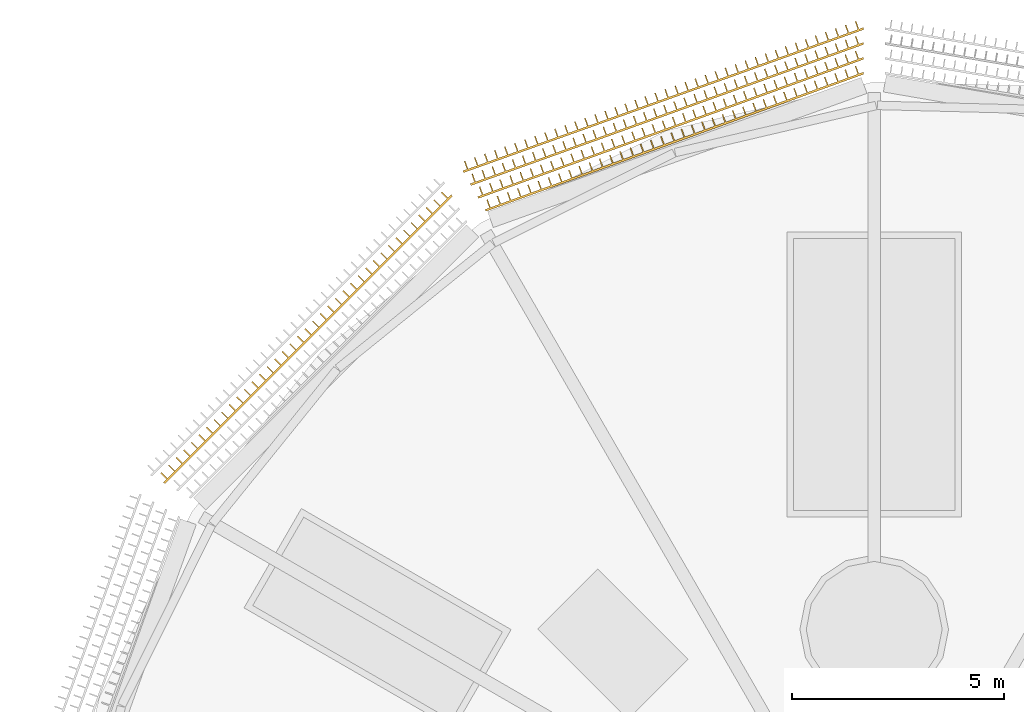
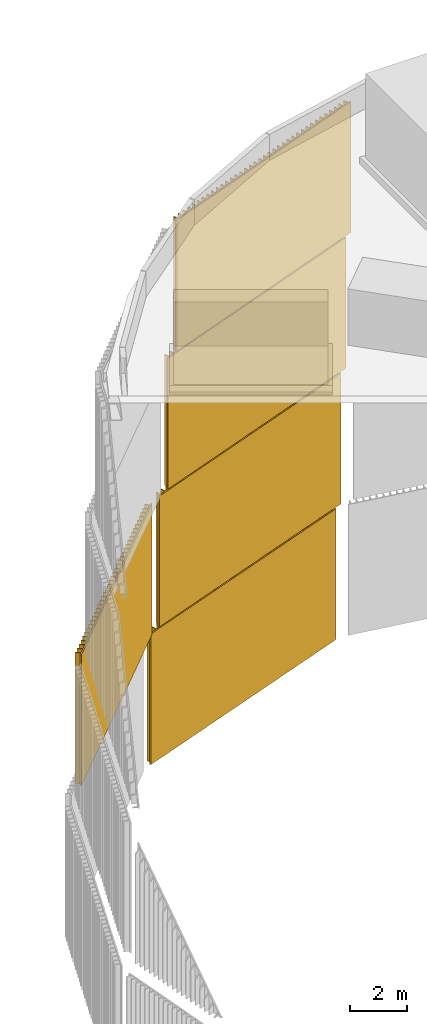
# One storey, part 20 of 24: 5 coverings.
"""IFC4 building model written with IfcOpenShell, lengths in metres."""

from ifc_helpers import new_model, si_unit, direction, frame, origin, place, context, subcontext, project, spatial, polyline, outline, extrude, material, type_object, element, save


model = new_model("IFC4")

# Units and contexts
model_context = context("Model", 3, precision=1e-05, world=origin(), true_north=direction((0.0, 1.0)))
body_context = subcontext(model_context, "Body", "Model", "MODEL_VIEW")
ifc_project = project(units=[si_unit("LENGTHUNIT", "METRE"), si_unit("AREAUNIT", "SQUARE_METRE"), si_unit("VOLUMEUNIT", "CUBIC_METRE"), si_unit("PLANEANGLEUNIT", "RADIAN"), si_unit("MASSUNIT", "GRAM", prefix="KILO")], contexts=[model_context])

# Site, building, storey
site_placement = place(None, origin())
site = spatial("IfcSite", under=ifc_project, at=site_placement, CompositionType="ELEMENT")
building_placement = place(site_placement, origin())
building = spatial("IfcBuilding", under=site, at=building_placement, Name="Rimbun Link Towers", CompositionType="ELEMENT")
storey_placement = place(building_placement, frame((0.0, 0.0, 294.89990234375)))
storey = spatial("IfcBuildingStorey", under=building, at=storey_placement, Name="Roof cap", CompositionType="ELEMENT", Elevation=294.89990234375)

# Coverings
ifc_material = material(Name="Terracotta", Category="masonry")
covering_type = type_object("IfcCoveringType", Name="TERRACOTTA CLADDING screen fins", PredefinedType="CLADDING", material=ifc_material)
covering_1_placement = place(storey_placement, frame((0.0, 0.0, -23.087890625)))
element("IfcCovering", 1, at=covering_1_placement, inside=storey, type_object=covering_type, Name="TERRACOTTA CLADDING screen", PredefinedType="CLADDING", context=body_context, shape_type="SweptSolid", body=[
    extrude(outline(polyline([(31.49609375, 20.668701171875), (31.39208984375, 20.631591796875), (31.32470703125, 20.81982421875), (31.296630859375, 20.809814453125), (31.364013671875, 20.621337890625), (31.15625, 20.547119140625), (31.0888671875, 20.7353515625), (31.060546875, 20.725341796875), (31.1279296875, 20.537109375), (30.92041015625, 20.462646484375), (30.85302734375, 20.65087890625), (30.82470703125, 20.640869140625), (30.89208984375, 20.45263671875), (30.684326171875, 20.37841796875), (30.616943359375, 20.566650390625), (30.5888671875, 20.556396484375), (30.656005859375, 20.3681640625), (30.448486328125, 20.2939453125), (30.381103515625, 20.482177734375), (30.352783203125, 20.47216796875), (30.420166015625, 20.28369140625), (30.21240234375, 20.20947265625), (30.145263671875, 20.397705078125), (30.116943359375, 20.3876953125), (30.184326171875, 20.199462890625), (29.9765625, 20.125), (29.9091796875, 20.3134765625), (29.881103515625, 20.303466796875), (29.948486328125, 20.114990234375), (29.74072265625, 20.040771484375), (29.67333984375, 20.22900390625), (29.64501953125, 20.218994140625), (29.71240234375, 20.03076171875), (29.5048828125, 19.956298828125), (29.4375, 20.144775390625), (29.4091796875, 20.134521484375), (29.4765625, 19.9462890625), (29.268798828125, 19.8720703125), (29.201416015625, 20.060302734375), (29.173095703125, 20.05029296875), (29.240478515625, 19.86181640625), (29.032958984375, 19.78759765625), (28.965576171875, 19.975830078125), (28.937255859375, 19.9658203125), (29.004638671875, 19.777587890625), (28.797119140625, 19.703125), (28.7294921875, 19.8916015625), (28.701416015625, 19.88134765625), (28.768798828125, 19.693115234375), (28.56103515625, 19.618896484375), (28.49365234375, 19.80712890625), (28.465576171875, 19.797119140625), (28.53271484375, 19.608642578125), (28.3251953125, 19.534423828125), (28.2578125, 19.722900390625), (28.2294921875, 19.712646484375), (28.296875, 19.5244140625), (28.089111328125, 19.4501953125), (28.02197265625, 19.638427734375), (27.99365234375, 19.62841796875), (28.06103515625, 19.43994140625), (27.853271484375, 19.36572265625), (27.785888671875, 19.553955078125), (27.7578125, 19.5439453125), (27.8251953125, 19.355712890625), (27.617431640625, 19.28125), (27.550048828125, 19.469482421875), (27.521728515625, 19.45947265625), (27.589111328125, 19.271240234375), (27.381591796875, 19.197021484375), (27.314208984375, 19.38525390625), (27.285888671875, 19.375), (27.353271484375, 19.186767578125), (27.1455078125, 19.112548828125), (27.078125, 19.30078125), (27.0498046875, 19.290771484375), (27.1171875, 19.102294921875), (26.90966796875, 19.028076171875), (26.84228515625, 19.21630859375), (26.81396484375, 19.206298828125), (26.88134765625, 19.01806640625), (26.673583984375, 18.943603515625), (26.606201171875, 19.132080078125), (26.578125, 19.1220703125), (26.6455078125, 18.93359375), (26.437744140625, 18.859375), (26.370361328125, 19.047607421875), (26.34228515625, 19.03759765625), (26.409423828125, 18.849365234375), (26.201904296875, 18.77490234375), (26.134521484375, 18.96337890625), (26.106201171875, 18.953125), (26.173583984375, 18.764892578125), (25.9658203125, 18.690673828125), (25.898681640625, 18.87890625), (25.870361328125, 18.868896484375), (25.937744140625, 18.680419921875), (25.72998046875, 18.606201171875), (25.66259765625, 18.79443359375), (25.634521484375, 18.784423828125), (25.701904296875, 18.59619140625), (25.494140625, 18.521728515625), (25.4267578125, 18.710205078125), (25.3984375, 18.699951171875), (25.4658203125, 18.51171875), (25.25830078125, 18.4375), (25.19091796875, 18.625732421875), (25.16259765625, 18.615478515625), (25.22998046875, 18.42724609375), (25.022216796875, 18.35302734375), (24.954833984375, 18.54150390625), (24.926513671875, 18.53125), (24.993896484375, 18.343017578125), (24.786376953125, 18.268798828125), (24.718994140625, 18.45703125), (24.690673828125, 18.447021484375), (24.758056640625, 18.258544921875), (24.55029296875, 18.184326171875), (24.48291015625, 18.37255859375), (24.454833984375, 18.362548828125), (24.522216796875, 18.17431640625), (24.314453125, 18.099853515625), (24.2470703125, 18.2880859375), (24.218994140625, 18.278076171875), (24.2861328125, 18.08984375), (24.07861328125, 18.015380859375), (24.01123046875, 18.203857421875), (23.98291015625, 18.193603515625), (24.05029296875, 18.00537109375), (23.842529296875, 17.93115234375), (23.775390625, 18.119384765625), (23.7470703125, 18.109375), (23.814453125, 17.9208984375), (23.606689453125, 17.8466796875), (23.539306640625, 18.034912109375), (23.510986328125, 18.02490234375), (23.578369140625, 17.836669921875), (23.370849609375, 17.76220703125), (23.303466796875, 17.95068359375), (23.275146484375, 17.940673828125), (23.342529296875, 17.752197265625), (23.134765625, 17.677978515625), (23.0673828125, 17.8662109375), (23.039306640625, 17.856201171875), (23.106689453125, 17.667724609375), (22.89892578125, 17.593505859375), (22.83154296875, 17.781982421875), (22.80322265625, 17.771728515625), (22.87060546875, 17.58349609375), (22.6630859375, 17.50927734375), (22.595703125, 17.697509765625), (22.5673828125, 17.6875), (22.634765625, 17.4990234375), (22.427001953125, 17.4248046875), (22.359619140625, 17.613037109375), (22.33154296875, 17.60302734375), (22.398681640625, 17.414794921875), (22.191162109375, 17.34033203125), (22.123779296875, 17.52880859375), (22.095458984375, 17.5185546875), (22.162841796875, 17.330322265625), (22.05908203125, 17.293212890625), (22.08447265625, 17.249267578125), (31.49609375, 20.615478515625), (31.49609375, 20.668701171875)])), origin(), (0.0, 0.0, 1.0), 5.575927734375),
])
covering_2_placement = place(storey_placement, frame((0.0, 0.0, -17.087890625)))
element("IfcCovering", 2, at=covering_2_placement, inside=storey, type_object=covering_type, Name="TERRACOTTA CLADDING screen", PredefinedType="CLADDING", context=body_context, shape_type="SweptSolid", body=[
    extrude(outline(polyline([(31.49609375, 20.318603515625), (31.391357421875, 20.281005859375), (31.32373046875, 20.46923828125), (31.29541015625, 20.458984375), (31.363037109375, 20.27099609375), (31.15380859375, 20.19580078125), (31.086181640625, 20.3837890625), (31.05810546875, 20.373779296875), (31.125732421875, 20.185546875), (30.91650390625, 20.1103515625), (30.848876953125, 20.298583984375), (30.820556640625, 20.288330078125), (30.88818359375, 20.10009765625), (30.678955078125, 20.02490234375), (30.611328125, 20.213134765625), (30.5830078125, 20.203125), (30.650634765625, 20.014892578125), (30.44140625, 19.939697265625), (30.373779296875, 20.1279296875), (30.345703125, 20.11767578125), (30.4130859375, 19.929443359375), (30.203857421875, 19.854248046875), (30.13623046875, 20.04248046875), (30.108154296875, 20.032470703125), (30.17578125, 19.843994140625), (29.966552734375, 19.768798828125), (29.898681640625, 19.957275390625), (29.87060546875, 19.947021484375), (29.938232421875, 19.7587890625), (29.72900390625, 19.68359375), (29.661376953125, 19.871826171875), (29.633056640625, 19.86181640625), (29.70068359375, 19.67333984375), (29.491455078125, 19.59814453125), (29.423828125, 19.78662109375), (29.3955078125, 19.7763671875), (29.46337890625, 19.588134765625), (29.25390625, 19.512939453125), (29.186279296875, 19.701171875), (29.158203125, 19.69091796875), (29.225830078125, 19.502685546875), (29.0166015625, 19.427490234375), (28.948974609375, 19.61572265625), (28.920654296875, 19.605712890625), (28.98828125, 19.41748046875), (28.779052734375, 19.34228515625), (28.71142578125, 19.530517578125), (28.68310546875, 19.520263671875), (28.750732421875, 19.33203125), (28.54150390625, 19.2568359375), (28.473876953125, 19.445068359375), (28.44580078125, 19.434814453125), (28.51318359375, 19.24658203125), (28.30419921875, 19.17138671875), (28.236328125, 19.359619140625), (28.208251953125, 19.349609375), (28.27587890625, 19.161376953125), (28.066650390625, 19.086181640625), (27.998779296875, 19.2744140625), (27.970703125, 19.26416015625), (28.038330078125, 19.075927734375), (27.8291015625, 19.000732421875), (27.761474609375, 19.18896484375), (27.733154296875, 19.178955078125), (27.80078125, 18.99072265625), (27.591552734375, 18.91552734375), (27.52392578125, 19.103759765625), (27.49560546875, 19.093505859375), (27.5634765625, 18.9052734375), (27.35400390625, 18.830078125), (27.28662109375, 19.018310546875), (27.25830078125, 19.00830078125), (27.325927734375, 18.820068359375), (27.11669921875, 18.744873046875), (27.049072265625, 18.93310546875), (27.020751953125, 18.9228515625), (27.08837890625, 18.734619140625), (26.879150390625, 18.659423828125), (26.8115234375, 18.84765625), (26.783203125, 18.83740234375), (26.850830078125, 18.6494140625), (26.6416015625, 18.57421875), (26.573974609375, 18.76220703125), (26.5458984375, 18.752197265625), (26.61328125, 18.56396484375), (26.404296875, 18.48876953125), (26.33642578125, 18.677001953125), (26.308349609375, 18.666748046875), (26.3759765625, 18.478515625), (26.166748046875, 18.4033203125), (26.09912109375, 18.591552734375), (26.07080078125, 18.581298828125), (26.138427734375, 18.393310546875), (25.92919921875, 18.318115234375), (25.861572265625, 18.506103515625), (25.833251953125, 18.49609375), (25.90087890625, 18.307861328125), (25.691650390625, 18.232666015625), (25.6240234375, 18.4208984375), (25.595703125, 18.41064453125), (25.66357421875, 18.222412109375), (25.4541015625, 18.147216796875), (25.38671875, 18.33544921875), (25.3583984375, 18.325439453125), (25.426025390625, 18.13720703125), (25.216796875, 18.06201171875), (25.149169921875, 18.250244140625), (25.120849609375, 18.239990234375), (25.1884765625, 18.0517578125), (24.979248046875, 17.9765625), (24.91162109375, 18.164794921875), (24.88330078125, 18.15478515625), (24.950927734375, 17.966552734375), (24.74169921875, 17.891357421875), (24.674072265625, 18.07958984375), (24.64599609375, 18.0693359375), (24.71337890625, 17.881103515625), (24.50439453125, 17.805908203125), (24.436767578125, 17.994140625), (24.408447265625, 17.98388671875), (24.47607421875, 17.7958984375), (24.266845703125, 17.720703125), (24.19921875, 17.90869140625), (24.1708984375, 17.898681640625), (24.238525390625, 17.71044921875), (24.029296875, 17.63525390625), (23.961669921875, 17.823486328125), (23.93359375, 17.813232421875), (24.001220703125, 17.625), (23.791748046875, 17.5498046875), (23.72412109375, 17.738037109375), (23.696044921875, 17.72802734375), (23.763671875, 17.539794921875), (23.554443359375, 17.464599609375), (23.48681640625, 17.65283203125), (23.45849609375, 17.642578125), (23.526123046875, 17.454345703125), (23.31689453125, 17.379150390625), (23.249267578125, 17.5673828125), (23.220947265625, 17.557373046875), (23.28857421875, 17.368896484375), (23.079345703125, 17.293701171875), (23.01171875, 17.482177734375), (22.9833984375, 17.471923828125), (23.051025390625, 17.28369140625), (22.841796875, 17.20849609375), (22.7744140625, 17.396728515625), (22.74609375, 17.38671875), (22.813720703125, 17.1982421875), (22.6044921875, 17.123046875), (22.536865234375, 17.311279296875), (22.508544921875, 17.30126953125), (22.576171875, 17.113037109375), (22.366943359375, 17.037841796875), (22.29931640625, 17.22607421875), (22.27099609375, 17.2158203125), (22.338623046875, 17.027587890625), (22.234130859375, 16.989990234375), (22.259521484375, 16.946044921875), (31.49609375, 20.265380859375), (31.49609375, 20.318603515625)])), origin(), (0.0, 0.0, 1.0), 5.575927734375),
])
covering_3_placement = place(storey_placement, frame((0.0, 0.0, -17.087890625)))
element("IfcCovering", 3, at=covering_3_placement, inside=storey, type_object=covering_type, Name="TERRACOTTA CLADDING screen", PredefinedType="CLADDING", context=body_context, shape_type="SweptSolid", body=[
    extrude(outline(polyline([(21.793701171875, 16.73681640625), (21.715087890625, 16.658203125), (21.573486328125, 16.7998046875), (21.552490234375, 16.778564453125), (21.69384765625, 16.63720703125), (21.53662109375, 16.479736328125), (21.395263671875, 16.621337890625), (21.3740234375, 16.60009765625), (21.515380859375, 16.45849609375), (21.358154296875, 16.301513671875), (21.216796875, 16.44287109375), (21.195556640625, 16.421630859375), (21.3369140625, 16.2802734375), (21.1796875, 16.123046875), (21.038330078125, 16.264404296875), (21.01708984375, 16.2431640625), (21.158447265625, 16.101806640625), (21.001220703125, 15.944580078125), (20.85986328125, 16.0859375), (20.838623046875, 16.064697265625), (20.97998046875, 15.92333984375), (20.822998046875, 15.76611328125), (20.681396484375, 15.907470703125), (20.66015625, 15.88623046875), (20.801513671875, 15.744873046875), (20.644287109375, 15.587646484375), (20.5029296875, 15.72900390625), (20.481689453125, 15.7080078125), (20.623291015625, 15.56640625), (20.466064453125, 15.4091796875), (20.32470703125, 15.550537109375), (20.303466796875, 15.529296875), (20.44482421875, 15.387939453125), (20.28759765625, 15.230712890625), (20.14599609375, 15.372314453125), (20.125, 15.35107421875), (20.266357421875, 15.209716796875), (20.109130859375, 15.052490234375), (19.9677734375, 15.19384765625), (19.946533203125, 15.172607421875), (20.087890625, 15.031005859375), (19.9306640625, 14.873779296875), (19.789306640625, 15.015380859375), (19.76806640625, 14.994140625), (19.909423828125, 14.852783203125), (19.752197265625, 14.695556640625), (19.61083984375, 14.8369140625), (19.589599609375, 14.815673828125), (19.73095703125, 14.67431640625), (19.57373046875, 14.51708984375), (19.432373046875, 14.658447265625), (19.4111328125, 14.63720703125), (19.552490234375, 14.495849609375), (19.3955078125, 14.338623046875), (19.25390625, 14.47998046875), (19.232666015625, 14.458740234375), (19.374267578125, 14.3173828125), (19.216796875, 14.16015625), (19.075439453125, 14.301513671875), (19.05419921875, 14.280517578125), (19.19580078125, 14.138916015625), (19.03857421875, 13.981689453125), (18.897216796875, 14.123291015625), (18.8759765625, 14.10205078125), (19.017333984375, 13.96044921875), (18.860107421875, 13.80322265625), (18.71875, 13.944580078125), (18.697509765625, 13.923583984375), (18.8388671875, 13.781982421875), (18.681640625, 13.625), (18.540283203125, 13.766357421875), (18.51904296875, 13.7451171875), (18.660400390625, 13.603759765625), (18.503173828125, 13.4462890625), (18.36181640625, 13.587890625), (18.340576171875, 13.566650390625), (18.48193359375, 13.42529296875), (18.32470703125, 13.26806640625), (18.183349609375, 13.409423828125), (18.162109375, 13.38818359375), (18.3037109375, 13.246826171875), (18.146240234375, 13.089599609375), (18.0048828125, 13.23095703125), (17.983642578125, 13.209716796875), (18.125, 13.068359375), (17.968017578125, 12.9111328125), (17.826416015625, 13.052490234375), (17.805419921875, 13.03125), (17.94677734375, 12.889892578125), (17.78955078125, 12.732666015625), (17.64794921875, 12.8740234375), (17.626708984375, 12.852783203125), (17.768310546875, 12.71142578125), (17.611083984375, 12.55419921875), (17.469482421875, 12.69580078125), (17.448486328125, 12.674560546875), (17.58984375, 12.533203125), (17.4326171875, 12.375732421875), (17.291259765625, 12.517333984375), (17.27001953125, 12.49609375), (17.411376953125, 12.3544921875), (17.254150390625, 12.197509765625), (17.11279296875, 12.3388671875), (17.091552734375, 12.317626953125), (17.23291015625, 12.17626953125), (17.07568359375, 12.01904296875), (16.934326171875, 12.160400390625), (16.9130859375, 12.13916015625), (17.054443359375, 11.997802734375), (16.897216796875, 11.840576171875), (16.755859375, 11.98193359375), (16.734619140625, 11.960693359375), (16.876220703125, 11.8193359375), (16.718994140625, 11.662109375), (16.577392578125, 11.803466796875), (16.55615234375, 11.7822265625), (16.697509765625, 11.640869140625), (16.540283203125, 11.483642578125), (16.39892578125, 11.625), (16.377685546875, 11.60400390625), (16.519287109375, 11.46240234375), (16.362060546875, 11.30517578125), (16.220703125, 11.446533203125), (16.199462890625, 11.42529296875), (16.3408203125, 11.283935546875), (16.18359375, 11.126708984375), (16.0419921875, 11.268310546875), (16.02099609375, 11.2470703125), (16.162353515625, 11.105712890625), (16.005126953125, 10.948486328125), (15.86376953125, 11.08984375), (15.842529296875, 11.068603515625), (15.98388671875, 10.927001953125), (15.82666015625, 10.77001953125), (15.685302734375, 10.911376953125), (15.6640625, 10.89013671875), (15.805419921875, 10.748779296875), (15.648193359375, 10.591552734375), (15.5068359375, 10.73291015625), (15.485595703125, 10.711669921875), (15.626953125, 10.5703125), (15.4697265625, 10.4130859375), (15.328369140625, 10.554443359375), (15.30712890625, 10.533203125), (15.448486328125, 10.391845703125), (15.29150390625, 10.234619140625), (15.14990234375, 10.3759765625), (15.128662109375, 10.354736328125), (15.270263671875, 10.21337890625), (15.11279296875, 10.05615234375), (14.971435546875, 10.197509765625), (14.9501953125, 10.176513671875), (15.091796875, 10.034912109375), (15.01318359375, 9.956298828125), (15.05810546875, 9.930419921875), (21.819580078125, 16.69189453125), (21.793701171875, 16.73681640625)])), origin(), (0.0, 0.0, 1.0), 5.575927734375),
])
covering_4_placement = place(storey_placement, frame((0.0, 0.0, -11.087890625)))
element("IfcCovering", 4, at=covering_4_placement, inside=storey, type_object=covering_type, Name="TERRACOTTA CLADDING screen", PredefinedType="CLADDING", context=body_context, shape_type="SweptSolid", body=[
    extrude(outline(polyline([(31.49609375, 19.96875), (31.390380859375, 19.9306640625), (31.322509765625, 20.11865234375), (31.29443359375, 20.1083984375), (31.3623046875, 19.92041015625), (31.1513671875, 19.84423828125), (31.08349609375, 20.0322265625), (31.055419921875, 20.022216796875), (31.123291015625, 19.833984375), (30.912353515625, 19.7578125), (30.84423828125, 19.946044921875), (30.816162109375, 19.935791015625), (30.884033203125, 19.747802734375), (30.673095703125, 19.67138671875), (30.605224609375, 19.859619140625), (30.576904296875, 19.849365234375), (30.64501953125, 19.661376953125), (30.43408203125, 19.585205078125), (30.3662109375, 19.773193359375), (30.337890625, 19.762939453125), (30.40576171875, 19.574951171875), (30.19482421875, 19.498779296875), (30.126953125, 19.68701171875), (30.0986328125, 19.6767578125), (30.166748046875, 19.488525390625), (29.955810546875, 19.412353515625), (29.8876953125, 19.6005859375), (29.859619140625, 19.59033203125), (29.927490234375, 19.402099609375), (29.716552734375, 19.325927734375), (29.648681640625, 19.51416015625), (29.62060546875, 19.50390625), (29.6884765625, 19.31591796875), (29.4775390625, 19.23974609375), (29.40966796875, 19.427734375), (29.38134765625, 19.41748046875), (29.44921875, 19.2294921875), (29.23828125, 19.1533203125), (29.17041015625, 19.34130859375), (29.14208984375, 19.331298828125), (29.210205078125, 19.14306640625), (28.999267578125, 19.06689453125), (28.931396484375, 19.255126953125), (28.903076171875, 19.244873046875), (28.970947265625, 19.056884765625), (28.760009765625, 18.980712890625), (28.692138671875, 19.168701171875), (28.6640625, 19.158447265625), (28.73193359375, 18.970458984375), (28.52099609375, 18.894287109375), (28.453125, 19.08251953125), (28.4248046875, 19.072265625), (28.492919921875, 18.884033203125), (28.281982421875, 18.807861328125), (28.2138671875, 18.99609375), (28.185791015625, 18.98583984375), (28.253662109375, 18.797607421875), (28.042724609375, 18.721435546875), (27.974853515625, 18.90966796875), (27.946533203125, 18.8994140625), (28.014404296875, 18.711181640625), (27.8037109375, 18.63525390625), (27.735595703125, 18.8232421875), (27.70751953125, 18.81298828125), (27.775390625, 18.625), (27.564453125, 18.548828125), (27.49658203125, 18.73681640625), (27.46826171875, 18.726806640625), (27.536376953125, 18.53857421875), (27.3251953125, 18.46240234375), (27.25732421875, 18.650390625), (27.229248046875, 18.640380859375), (27.297119140625, 18.4521484375), (27.086181640625, 18.376220703125), (27.018310546875, 18.564208984375), (26.989990234375, 18.553955078125), (27.05810546875, 18.365966796875), (26.84716796875, 18.289794921875), (26.779052734375, 18.477783203125), (26.7509765625, 18.467529296875), (26.81884765625, 18.279541015625), (26.60791015625, 18.203369140625), (26.5400390625, 18.3916015625), (26.51171875, 18.38134765625), (26.57958984375, 18.193115234375), (26.368896484375, 18.116943359375), (26.30078125, 18.30517578125), (26.272705078125, 18.294921875), (26.340576171875, 18.106689453125), (26.129638671875, 18.030517578125), (26.061767578125, 18.21875), (26.033447265625, 18.20849609375), (26.1015625, 18.0205078125), (25.890625, 17.9443359375), (25.822509765625, 18.13232421875), (25.79443359375, 18.122314453125), (25.8623046875, 17.93408203125), (25.6513671875, 17.85791015625), (25.58349609375, 18.0458984375), (25.555419921875, 18.035888671875), (25.623291015625, 17.84765625), (25.412353515625, 17.771484375), (25.344482421875, 17.959716796875), (25.316162109375, 17.949462890625), (25.384033203125, 17.761474609375), (25.173095703125, 17.685302734375), (25.105224609375, 17.873291015625), (25.076904296875, 17.863037109375), (25.14501953125, 17.675048828125), (24.93408203125, 17.598876953125), (24.8662109375, 17.786865234375), (24.837890625, 17.776611328125), (24.90576171875, 17.588623046875), (24.69482421875, 17.512451171875), (24.626953125, 17.70068359375), (24.598876953125, 17.6904296875), (24.666748046875, 17.502197265625), (24.455810546875, 17.426025390625), (24.3876953125, 17.6142578125), (24.359619140625, 17.60400390625), (24.427490234375, 17.416015625), (24.216796875, 17.339599609375), (24.148681640625, 17.52783203125), (24.12060546875, 17.517578125), (24.1884765625, 17.32958984375), (23.9775390625, 17.25341796875), (23.90966796875, 17.44140625), (23.88134765625, 17.431396484375), (23.94921875, 17.2431640625), (23.73828125, 17.1669921875), (23.67041015625, 17.35498046875), (23.64208984375, 17.344970703125), (23.710205078125, 17.15673828125), (23.499267578125, 17.080810546875), (23.431396484375, 17.268798828125), (23.403076171875, 17.258544921875), (23.470947265625, 17.070556640625), (23.260009765625, 16.994384765625), (23.192138671875, 17.182373046875), (23.1640625, 17.172119140625), (23.23193359375, 16.984130859375), (23.02099609375, 16.907958984375), (22.953125, 17.095947265625), (22.9248046875, 17.0859375), (22.992919921875, 16.897705078125), (22.781982421875, 16.821533203125), (22.7138671875, 17.009765625), (22.685791015625, 16.99951171875), (22.753662109375, 16.811279296875), (22.542724609375, 16.735107421875), (22.474853515625, 16.92333984375), (22.446533203125, 16.9130859375), (22.514404296875, 16.72509765625), (22.4091796875, 16.68701171875), (22.4345703125, 16.64306640625), (31.49609375, 19.91552734375), (31.49609375, 19.96875)])), origin(), (0.0, 0.0, 1.0), 5.575927734375),
])
covering_5_placement = place(storey_placement, frame((0.0, 0.0, -5.087890625)))
element("IfcCovering", 5, at=covering_5_placement, inside=storey, type_object=covering_type, Name="TERRACOTTA CLADDING screen", PredefinedType="CLADDING", context=body_context, shape_type="SweptSolid", body=[
    extrude(outline(polyline([(31.49609375, 19.61865234375), (31.3896484375, 19.580078125), (31.3212890625, 19.76806640625), (31.293212890625, 19.7578125), (31.361572265625, 19.56982421875), (31.148681640625, 19.49267578125), (31.08056640625, 19.6806640625), (31.052490234375, 19.67041015625), (31.12060546875, 19.482421875), (30.907958984375, 19.4052734375), (30.839599609375, 19.59326171875), (30.8115234375, 19.5830078125), (30.879638671875, 19.39501953125), (30.6669921875, 19.31787109375), (30.598876953125, 19.505859375), (30.570556640625, 19.49560546875), (30.638916015625, 19.3076171875), (30.42626953125, 19.23046875), (30.35791015625, 19.41845703125), (30.329833984375, 19.408203125), (30.39794921875, 19.22021484375), (30.185302734375, 19.14306640625), (30.1171875, 19.330810546875), (30.0888671875, 19.32080078125), (30.1572265625, 19.1328125), (29.944580078125, 19.055419921875), (29.876220703125, 19.243408203125), (29.84814453125, 19.2333984375), (29.916259765625, 19.04541015625), (29.70361328125, 18.968017578125), (29.635498046875, 19.156005859375), (29.607177734375, 19.14599609375), (29.67529296875, 18.9580078125), (29.462890625, 18.880615234375), (29.39453125, 19.068603515625), (29.3662109375, 19.058349609375), (29.4345703125, 18.870361328125), (29.221923828125, 18.793212890625), (29.15380859375, 18.981201171875), (29.12548828125, 18.970947265625), (29.193603515625, 18.782958984375), (28.98095703125, 18.705810546875), (28.912841796875, 18.893798828125), (28.884521484375, 18.883544921875), (28.952880859375, 18.695556640625), (28.740234375, 18.618408203125), (28.671875, 18.806396484375), (28.643798828125, 18.796142578125), (28.7119140625, 18.608154296875), (28.499267578125, 18.531005859375), (28.43115234375, 18.718994140625), (28.40283203125, 18.708740234375), (28.47119140625, 18.520751953125), (28.258544921875, 18.443603515625), (28.190185546875, 18.631591796875), (28.162109375, 18.621337890625), (28.230224609375, 18.433349609375), (28.017578125, 18.356201171875), (27.949462890625, 18.544189453125), (27.921142578125, 18.533935546875), (27.989501953125, 18.345947265625), (27.776611328125, 18.268798828125), (27.70849609375, 18.456787109375), (27.680419921875, 18.4462890625), (27.74853515625, 18.25830078125), (27.535888671875, 18.18115234375), (27.467529296875, 18.369140625), (27.439453125, 18.35888671875), (27.5078125, 18.1708984375), (27.294921875, 18.09375), (27.226806640625, 18.28173828125), (27.198486328125, 18.271484375), (27.266845703125, 18.08349609375), (27.05419921875, 18.00634765625), (26.98583984375, 18.1943359375), (26.957763671875, 18.18408203125), (27.02587890625, 17.99609375), (26.813232421875, 17.9189453125), (26.7451171875, 18.10693359375), (26.716796875, 18.0966796875), (26.78515625, 17.90869140625), (26.572509765625, 17.83154296875), (26.504150390625, 18.01953125), (26.47607421875, 18.00927734375), (26.544189453125, 17.8212890625), (26.33154296875, 17.744140625), (26.26318359375, 17.93212890625), (26.235107421875, 17.921875), (26.303466796875, 17.73388671875), (26.0908203125, 17.65673828125), (26.0224609375, 17.8447265625), (25.994140625, 17.83447265625), (26.0625, 17.646484375), (25.849853515625, 17.569091796875), (25.781494140625, 17.757080078125), (25.75341796875, 17.7470703125), (25.821533203125, 17.55908203125), (25.60888671875, 17.481689453125), (25.540771484375, 17.669921875), (25.512451171875, 17.65966796875), (25.580810546875, 17.4716796875), (25.3681640625, 17.394287109375), (25.2998046875, 17.58251953125), (25.271728515625, 17.572021484375), (25.33984375, 17.384033203125), (25.127197265625, 17.306884765625), (25.05908203125, 17.494873046875), (25.03076171875, 17.484619140625), (25.09912109375, 17.296630859375), (24.886474609375, 17.219482421875), (24.818115234375, 17.407470703125), (24.789794921875, 17.397216796875), (24.858154296875, 17.209228515625), (24.6455078125, 17.132080078125), (24.577392578125, 17.320068359375), (24.549072265625, 17.309814453125), (24.6171875, 17.121826171875), (24.40478515625, 17.044677734375), (24.33642578125, 17.232666015625), (24.30810546875, 17.222412109375), (24.37646484375, 17.034423828125), (24.163818359375, 16.957275390625), (24.095458984375, 17.145263671875), (24.0673828125, 17.135009765625), (24.135498046875, 16.947021484375), (23.9228515625, 16.869873046875), (23.854736328125, 17.057861328125), (23.826416015625, 17.047607421875), (23.894775390625, 16.859619140625), (23.68212890625, 16.782470703125), (23.61376953125, 16.970458984375), (23.585693359375, 16.960205078125), (23.65380859375, 16.772216796875), (23.441162109375, 16.69482421875), (23.373046875, 16.8828125), (23.3447265625, 16.872802734375), (23.4130859375, 16.684814453125), (23.2001953125, 16.607421875), (23.132080078125, 16.79541015625), (23.10400390625, 16.785400390625), (23.172119140625, 16.597412109375), (22.95947265625, 16.52001953125), (22.89111328125, 16.7080078125), (22.863037109375, 16.69775390625), (22.931396484375, 16.510009765625), (22.718505859375, 16.4326171875), (22.650390625, 16.62060546875), (22.622314453125, 16.6103515625), (22.6904296875, 16.42236328125), (22.583984375, 16.3837890625), (22.609619140625, 16.33984375), (31.49609375, 19.5654296875), (31.49609375, 19.61865234375)])), origin(), (0.0, 0.0, 1.0), 5.575927734375),
])

save(model, "model.ifc")
